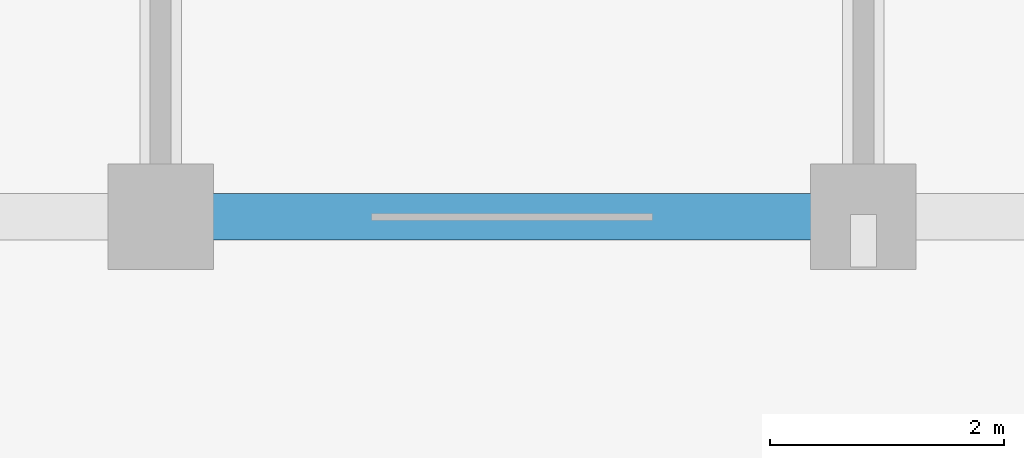
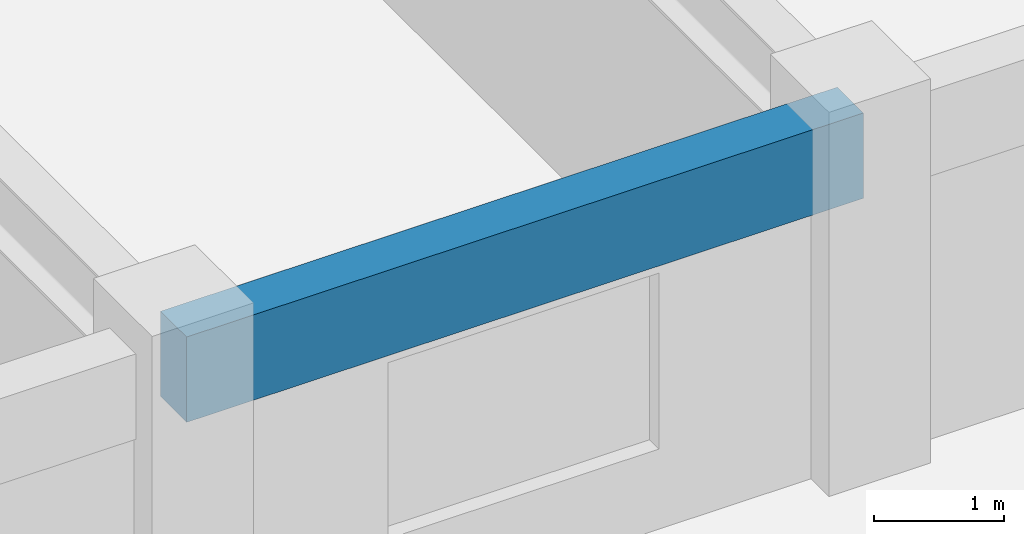
# One storey, part 3 of 24: 1 beam.
"""IFC4 building model written with IfcOpenShell, lengths in metres."""

from ifc_helpers import new_model, si_unit, direction, frame, origin, origin_2d, place, context, subcontext, project, spatial, rectangle, extrude, material, material_profile, profile_set, type_object, element, save


model = new_model("IFC4")

# Units and contexts
model_context = context("Model", 3, precision=1e-05, world=origin(), true_north=direction((0.0, 1.0)))
body_context = subcontext(model_context, "Body", "Model", "MODEL_VIEW")
ifc_project = project(units=[si_unit("LENGTHUNIT", "METRE"), si_unit("AREAUNIT", "SQUARE_METRE"), si_unit("VOLUMEUNIT", "CUBIC_METRE"), si_unit("PLANEANGLEUNIT", "RADIAN"), si_unit("MASSUNIT", "GRAM", prefix="KILO")], contexts=[model_context])

# Site, building, storey
site_placement = place(None, origin())
site = spatial("IfcSite", under=ifc_project, at=site_placement, CompositionType="ELEMENT")
building_placement = place(site_placement, origin())
building = spatial("IfcBuilding", under=site, at=building_placement, Name="Kaldorvane Square Convention Centre", CompositionType="ELEMENT")
storey_placement = place(building_placement, frame((0.0, 0.0, 27.600006103515625)))
storey = spatial("IfcBuildingStorey", under=building, at=storey_placement, Name="L05", CompositionType="ELEMENT", Elevation=27.600006103515625)

# Beam
ifc_material = material(Name="Concrete f'c = 42 MPa (Normalweight)", Category="concrete")
ifc_material_profile = material_profile(ifc_material, rectangle(XDim=0.399993896484375, YDim=0.8000030517578125, at=origin_2d()), Name="RCSP800X400")
ifc_profile_set = profile_set([ifc_material_profile], Name="Concrete f'c = 42 MPa (Normalweight)")
beam_type = type_object("IfcBeamType", Name="BM-SP-RC800", PredefinedType="SPANDREL", material=ifc_profile_set)
beam_placement = place(storey_placement, frame((36.0, 84.0, 2.885986328125), z_axis=(1.0, 0.0, 0.0), x_axis=(0.0, 1.0, 0.0)))
element("IfcBeam", 1, at=beam_placement, inside=storey, type_object=beam_type, Name="Perimeter Spandrel (L05)", PredefinedType="SPANDREL", context=body_context, shape_type="SweptSolid", body=[
    extrude(rectangle(XDim=0.399993896484375, YDim=0.8000030517578125, at=origin_2d()), origin(), (0.0, 0.0, 1.0), 6.0),
])

save(model, "model.ifc")
